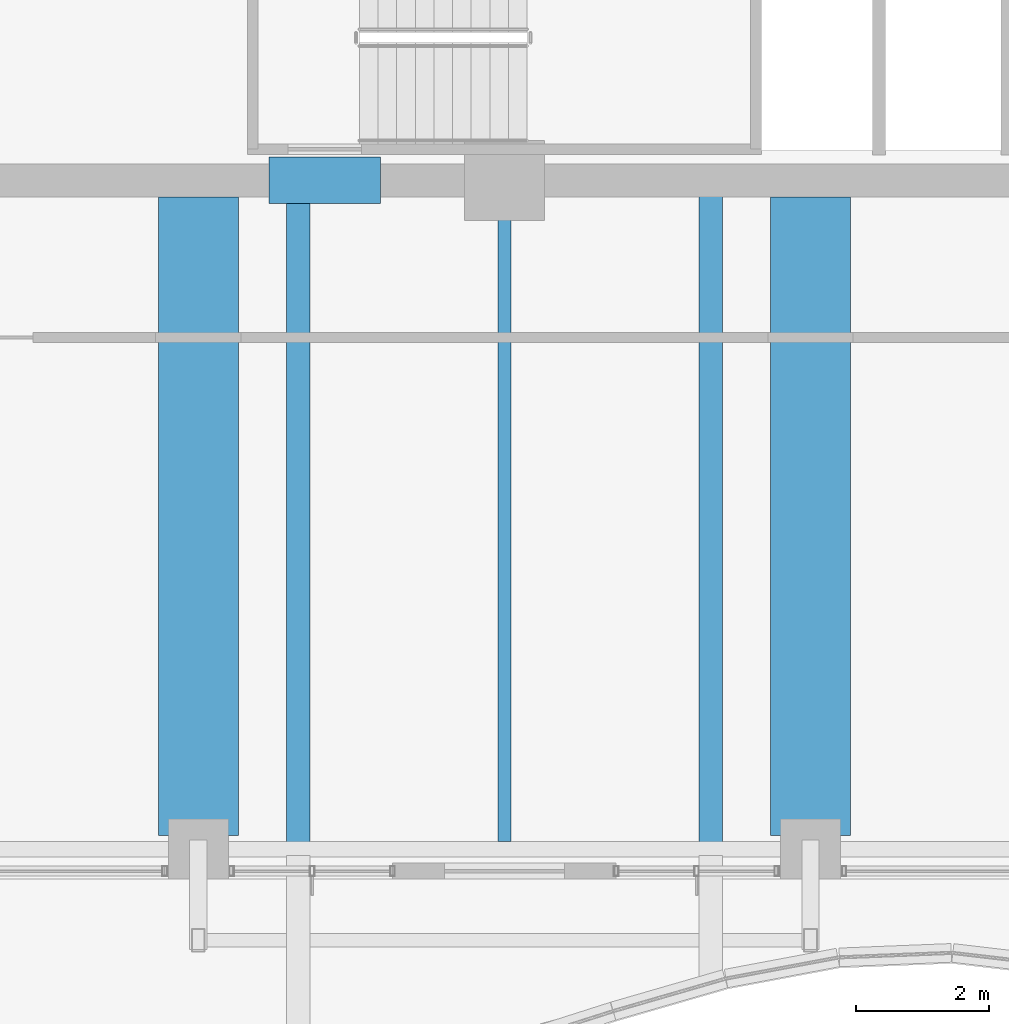
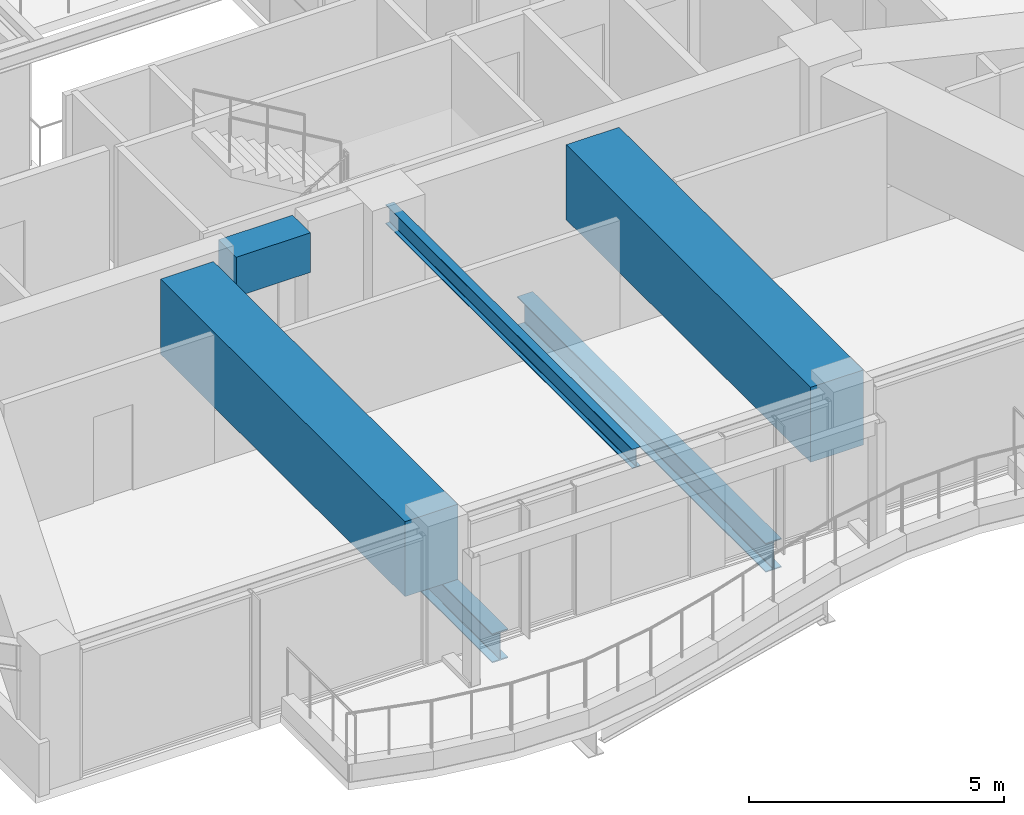
# One storey, part 7 of 37: 6 beams.
"""IFC4 building model written with IfcOpenShell, lengths in metres."""

from ifc_helpers import new_model, si_unit, direction, frame, origin, origin_2d, place, context, subcontext, project, spatial, rectangle, i_section, extrude, material, material_profile, profile_set, type_object, element, save


model = new_model("IFC4")

# Units and contexts
model_context = context("Model", 3, precision=1e-05, world=origin(), true_north=direction((0.0, 1.0)))
body_context = subcontext(model_context, "Body", "Model", "MODEL_VIEW")
ifc_project = project(units=[si_unit("LENGTHUNIT", "METRE"), si_unit("AREAUNIT", "SQUARE_METRE"), si_unit("VOLUMEUNIT", "CUBIC_METRE"), si_unit("PLANEANGLEUNIT", "RADIAN"), si_unit("MASSUNIT", "GRAM", prefix="KILO")], contexts=[model_context])

# Site, building, storey
site_placement = place(None, origin())
site = spatial("IfcSite", under=ifc_project, at=site_placement, CompositionType="ELEMENT")
building_placement = place(site_placement, origin())
building = spatial("IfcBuilding", under=site, at=building_placement, Name="Kolvaren Belvedere", CompositionType="ELEMENT")
storey_placement = place(building_placement, frame((0.0, 0.0, 186.60009765625)))
storey = spatial("IfcBuildingStorey", under=building, at=storey_placement, Name="L54", CompositionType="ELEMENT", Elevation=186.60009765625)

# Beams
ifc_material_1 = material(Name="Structural steel ASTM A992 Grade 50", Category="steel")
ifc_material_profile_1 = material_profile(ifc_material_1, i_section(OverallWidth=0.35498046875, OverallDepth=0.696044921875, WebThickness=0.015380859375, FlangeThickness=0.02490234375, FilletRadius=0.02197265625, at=origin_2d()), Name="W27X146")
ifc_profile_set_1 = profile_set([ifc_material_profile_1], Name="Structural steel ASTM A992 Grade 50")
beam_type_1 = type_object("IfcBeamType", Name="BM-GIRD-W27X146", PredefinedType="BEAM", material=ifc_profile_set_1)
for number, where, z_axis, x_axis, name in (
    (1, (-3.10009765625, -10.090087890625, -0.568115234375), (0.0, -1.0, 0.0), (1.0, 0.0, 0.0), "L54 Balcony Interior Back-Span Girder BAL-S-1"),
    (2, (3.10009765625, -10.090087890625, -0.568115234375), (0.0, -1.0, 0.0), (1.0, 0.0, 0.0), "L54 Balcony Interior Back-Span Girder BAL-S-2"),
):
    element("IfcBeam", number, at=place(storey_placement, frame(where, z_axis=z_axis, x_axis=x_axis)), inside=storey, type_object=beam_type_1, Name=name, PredefinedType="BEAM", context=body_context, shape_type="SweptSolid", body=[
        extrude(i_section(OverallWidth=0.35498046875, OverallDepth=0.696044921875, WebThickness=0.015380859375, FlangeThickness=0.02490234375, FilletRadius=0.02197265625, at=origin_2d()), origin(), (0.0, 0.0, 1.0), 9.764892578125),
    ])
ifc_material_2 = material(Name="Structural steel ASTM A992 Grade 50", Category="steel")
ifc_material_profile_2 = material_profile(ifc_material_2, i_section(OverallWidth=0.19091796875, OverallDepth=0.4599609375, WebThickness=0.010009765625, FlangeThickness=0.01611328125, FilletRadius=0.014892578125, at=origin_2d()), Name="W18X55")
ifc_profile_set_2 = profile_set([ifc_material_profile_2], Name="Structural steel ASTM A992 Grade 50")
beam_type_2 = type_object("IfcBeamType", Name="BM-JOIST-W18X55", PredefinedType="BEAM", material=ifc_profile_set_2)
beam_1_placement = place(storey_placement, frame((0.0, -10.14990234375, 2.849853515625), z_axis=(0.0, -1.0, 0.0), x_axis=(1.0, 0.0, 0.0)))
element("IfcBeam", 3, at=beam_1_placement, inside=storey, type_object=beam_type_2, Name="L54 South Centre Floor Beam", PredefinedType="BEAM", context=body_context, shape_type="SweptSolid", body=[
    extrude(i_section(OverallWidth=0.19091796875, OverallDepth=0.4599609375, WebThickness=0.010009765625, FlangeThickness=0.01611328125, FilletRadius=0.014892578125, at=origin_2d()), origin(), (0.0, 0.0, 1.0), 9.685546875),
])
ifc_material_3 = material(Name="Concrete C60/75", Category="concrete")
ifc_material_profile_3 = material_profile(ifc_material_3, rectangle(XDim=0.699951171875, YDim=0.949951171875, at=origin_2d()), Name="RC 700X950")
ifc_profile_set_3 = profile_set([ifc_material_profile_3], Name="Concrete C60/75")
beam_type_3 = type_object("IfcBeamType", Name="BM-LINT-950", PredefinedType="LINTEL", material=ifc_profile_set_3)
beam_2_placement = place(storey_placement, frame((-3.5400390625, -9.89990234375, 2.60498046875), z_axis=(1.0, 0.0, 0.0), x_axis=(0.0, 1.0, 0.0)))
element("IfcBeam", 4, at=beam_2_placement, inside=storey, type_object=beam_type_3, Name="L54 South Core Coupling Lintel", PredefinedType="LINTEL", context=body_context, shape_type="SweptSolid", body=[
    extrude(rectangle(XDim=0.699951171875, YDim=0.949951171875, at=origin_2d()), origin(), (0.0, 0.0, 1.0), 1.679931640625),
])
ifc_material_4 = material(Name="Concrete C50/60", Category="concrete")
ifc_material_profile_4 = material_profile(ifc_material_4, rectangle(XDim=1.199951171875, YDim=1.800048828125, at=origin_2d()), Name="RC 1200X1800")
ifc_profile_set_4 = profile_set([ifc_material_profile_4], Name="Concrete C50/60")
beam_type_4 = type_object("IfcBeamType", Name="BM-TG-1800", PredefinedType="BEAM", material=ifc_profile_set_4)
for number, where, z_axis, x_axis, name in (
    (5, (4.60009765625, -10.14990234375, 2.179931640625), (0.0, -1.0, 0.0), (1.0, 0.0, 0.0), "L54 South Radial Girder P"),
    (6, (-4.60009765625, -10.14990234375, 2.179931640625), (0.0, -1.0, 0.0), (1.0, 0.0, 0.0), "L54 South Radial Girder M"),
):
    element("IfcBeam", number, at=place(storey_placement, frame(where, z_axis=z_axis, x_axis=x_axis)), inside=storey, type_object=beam_type_4, Name=name, PredefinedType="BEAM", context=body_context, shape_type="SweptSolid", body=[
        extrude(rectangle(XDim=1.199951171875, YDim=1.800048828125, at=origin_2d()), origin(), (0.0, 0.0, 1.0), 9.59765625),
    ])

save(model, "model.ifc")
